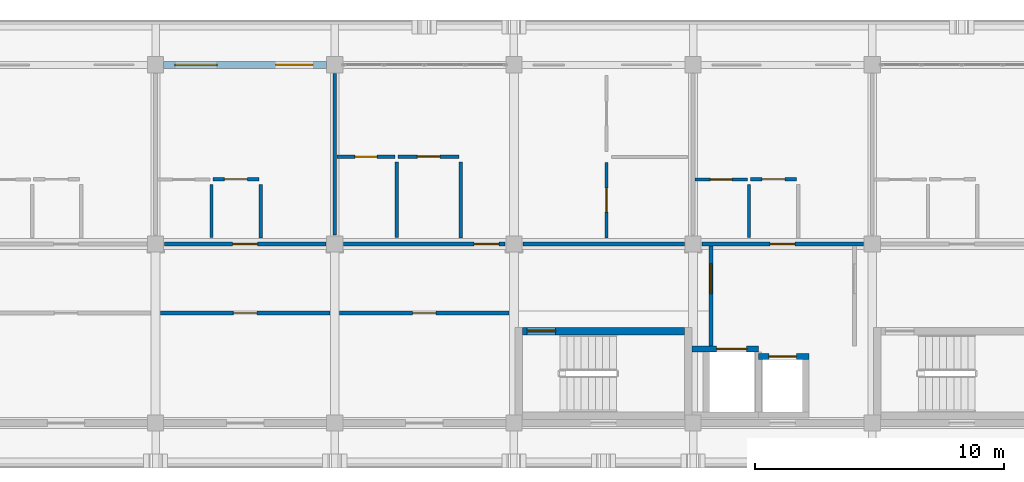
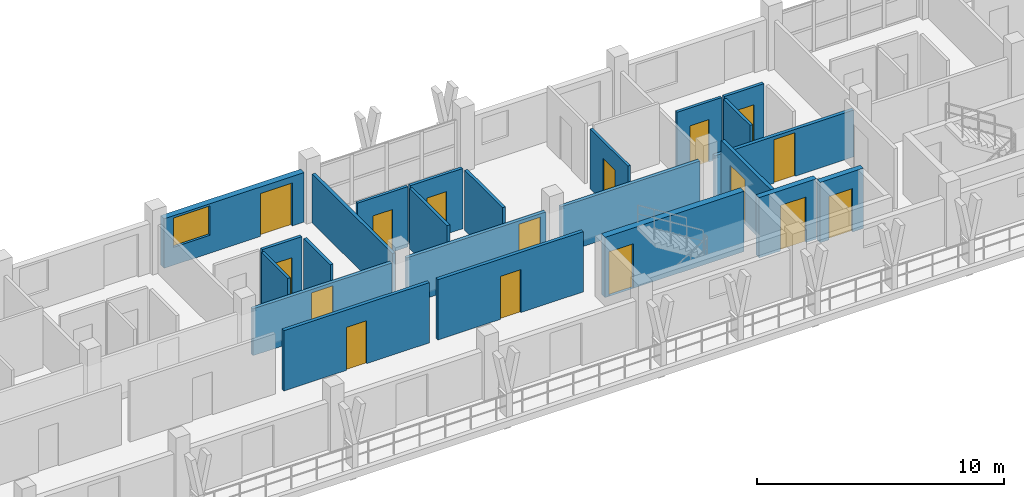
# One storey, part 46 of 76: 23 walls, 16 doors, 1 window, 17 openings.
"""IFC4 building model written with IfcOpenShell, lengths in metres."""

from ifc_helpers import new_model, si_unit, direction, frame, frame_2d, origin, place, context, subcontext, project, spatial, rectangle, extrude, material, layer, layer_set, type_object, element, fill, save


model = new_model("IFC4")

# Units and contexts
model_context = context("Model", 3, precision=1e-05, world=origin(), true_north=direction((0.0, 1.0)))
body_context = subcontext(model_context, "Body", "Model", "MODEL_VIEW")
ifc_project = project(units=[si_unit("LENGTHUNIT", "METRE"), si_unit("AREAUNIT", "SQUARE_METRE"), si_unit("VOLUMEUNIT", "CUBIC_METRE"), si_unit("PLANEANGLEUNIT", "RADIAN"), si_unit("MASSUNIT", "GRAM", prefix="KILO")], contexts=[model_context])

# Site, building, storey
site_placement = place(None, origin())
site = spatial("IfcSite", under=ifc_project, at=site_placement, CompositionType="ELEMENT")
building_placement = place(site_placement, origin())
building = spatial("IfcBuilding", under=site, at=building_placement, Name="Suanplinth Sawtooth Commons", CompositionType="ELEMENT")
storey_placement = place(building_placement, frame((0.0, 0.0, 12.199951171875)))
storey = spatial("IfcBuildingStorey", under=building, at=storey_placement, Name="L03", CompositionType="ELEMENT", Elevation=12.199951171875)

# Wall, opening, door
ifc_material_1 = material(Name="Concrete C40/50", Category="concrete")
ifc_layer_1 = layer(ifc_material_1, 0.300048828125, Name="Standard RC stair and lift core wall 300mm")
ifc_layer_set_1 = layer_set([ifc_layer_1], Name="Concrete C40/50")
wall_type_1 = type_object("IfcWallType", Name="W-CR02", PredefinedType="SHEAR", material=ifc_layer_set_1)
wall_1_placement = place(storey_placement, frame((43.550048828125, 111.699951171875, 0.0), z_axis=(0.0, 0.0, 1.0), x_axis=(1.0, 0.0, 0.0)))
wall_1 = element("IfcWall", 1, at=wall_1_placement, inside=storey, type_object=wall_type_1, Name="W-L03-C-A1-STN", PredefinedType="SHEAR", context=body_context, shape_type="SweptSolid", body=[
    extrude(rectangle(XDim=6.5, YDim=0.300048828125, at=frame_2d((3.25, 0.0))), origin(), (0.0, 0.0, 1.0), 2.97998046875),
])
opening_1_placement = place(wall_1_placement, frame((0.179931640625, 0.0, 0.0)))
opening_1 = element("IfcOpeningElement", 2, at=opening_1_placement, cuts=wall_1, Name="Opening FD0021", PredefinedType="OPENING", context=body_context, shape_type="SweptSolid", body=[
    extrude(rectangle(XDim=1.14990234375, YDim=2.199951171875, at=frame_2d((0.574951171875, 1.10009765625))), frame((0.0, 0.1650390625, 0.0), z_axis=(0.0, -1.0, 0.0), x_axis=(1.0, 0.0, 0.0)), (0.0, 0.0, 1.0), 0.329833984375),
])
ifc_material_2 = material(Name="Teak hardwood fire-rated door assembly", Category="wood")
door_type_1 = type_object("IfcDoorType", Name="FD-01", OperationType="NOTDEFINED", PredefinedType="DOOR", material=ifc_material_2)
door_1_placement = place(opening_1_placement, frame((1.14990234375, 0.0, 0.0), z_axis=(0.0, 0.0, 1.0), x_axis=(-1.0, 0.0, 0.0)))
door_1 = element("IfcDoor", 3, at=door_1_placement, inside=storey, type_object=door_type_1, Name="Exit Stair Fire Door FD0021", OperationType="SINGLE_SWING_RIGHT", OverallHeight=2.199951171875, OverallWidth=1.14990234375, PredefinedType="DOOR", context=body_context, shape_type="SweptSolid", body=[
    extrude(rectangle(XDim=1.14990234375, YDim=2.199951171875, at=frame_2d((0.574951171875, 1.10009765625))), frame((0.0, 0.02490234375, 0.0), z_axis=(0.0, -1.0, 0.0), x_axis=(1.0, 0.0, 0.0)), (0.0, 0.0, 1.0), 0.050048828125),
])
fill(opening_1, door_1)

# Wall, openings, door, window
ifc_material_3 = material(Name="Precast concrete C40/50", Category="concrete")
ifc_layer_2 = layer(ifc_material_3, 0.280029296875, Name="Insulated precast architectural facade wall 280mm")
ifc_layer_set_2 = layer_set([ifc_layer_2], Name="Precast concrete C40/50")
wall_type_2 = type_object("IfcWallType", Name="W-EX01", PredefinedType="ELEMENTEDWALL", material=ifc_layer_set_2)
wall_2_placement = place(storey_placement, frame((29.125, 122.39990234375, 0.0), z_axis=(0.0, 0.0, 1.0), x_axis=(1.0, 0.0, 0.0)))
wall_2 = element("IfcWall", 4, at=wall_2_placement, inside=storey, type_object=wall_type_2, Name="Facade Wall W-L03-A-N-4", PredefinedType="ELEMENTEDWALL", context=body_context, shape_type="SweptSolid", body=[
    extrude(rectangle(XDim=6.550048828125, YDim=0.280029296875, at=frame_2d((3.27490234375, 0.0))), origin(), (0.0, 0.0, 1.0), 2.445068359375),
])
opening_2_placement = place(wall_2_placement, frame((4.5, 0.0, 0.0)))
opening_2 = element("IfcOpeningElement", 5, at=opening_2_placement, cuts=wall_2, Name="Opening ED0226", PredefinedType="OPENING", context=body_context, shape_type="SweptSolid", body=[
    extrude(rectangle(XDim=1.5, YDim=2.1201171875, at=frame_2d((0.75, 1.06005859375))), frame((0.0, 0.15478515625, 0.0), z_axis=(0.0, -1.0, 0.0), x_axis=(1.0, 0.0, 0.0)), (0.0, 0.0, 1.0), 0.309814453125),
])
opening_3_placement = place(wall_2_placement, frame((0.449951171875, 0.0, 0.885009765625)))
opening_3 = element("IfcOpeningElement", 6, at=opening_3_placement, cuts=wall_2, Name="Opening W0335", PredefinedType="OPENING", context=body_context, shape_type="SweptSolid", body=[
    extrude(rectangle(XDim=1.699951171875, YDim=1.449951171875, at=frame_2d((0.85009765625, 0.72509765625))), frame((0.0, 0.15478515625, 0.0), z_axis=(0.0, -1.0, 0.0), x_axis=(1.0, 0.0, 0.0)), (0.0, 0.0, 1.0), 0.309814453125),
])
ifc_material_4 = material(Name="Anodized aluminium and low-E glass", Category="aluminium")
door_type_2 = type_object("IfcDoorType", Name="SD-03", OperationType="SLIDING_TO_LEFT", PredefinedType="DOOR", material=ifc_material_4)
door_2_placement = place(opening_2_placement, frame((1.5, 0.0, 0.0), z_axis=(0.0, 0.0, 1.0), x_axis=(-1.0, 0.0, 0.0)))
door_2 = element("IfcDoor", 7, at=door_2_placement, inside=storey, type_object=door_type_2, Name="Balcony Sliding Door L03-A-N-4", OperationType="SLIDING_TO_LEFT", OverallHeight=2.1201171875, OverallWidth=1.5, PredefinedType="DOOR", context=body_context, shape_type="SweptSolid", body=[
    extrude(rectangle(XDim=1.5, YDim=2.1201171875, at=frame_2d((0.75, 1.06005859375))), frame((0.0, 0.02490234375, 0.0), z_axis=(0.0, -1.0, 0.0), x_axis=(1.0, 0.0, 0.0)), (0.0, 0.0, 1.0), 0.050048828125),
])
fill(opening_2, door_2)
ifc_material_5 = material(Name="Thermally broken aluminium and low-E double glazing", Category="aluminium")
window_type = type_object("IfcWindowType", Name="WN-15", PartitioningType="DOUBLE_PANEL_VERTICAL", PredefinedType="WINDOW", material=ifc_material_5)
window_placement = place(opening_3_placement, origin())
window = element("IfcWindow", 8, at=window_placement, inside=storey, type_object=window_type, Name="Window L03-A-N-4", OverallHeight=1.449951171875, OverallWidth=1.699951171875, PartitioningType="DOUBLE_PANEL_VERTICAL", PredefinedType="WINDOW", context=body_context, shape_type="SweptSolid", body=[
    extrude(rectangle(XDim=1.699951171875, YDim=1.449951171875, at=frame_2d((0.85009765625, 0.72509765625))), frame((0.0, 0.030029296875, 0.0), z_axis=(0.0, -1.0, 0.0), x_axis=(1.0, 0.0, 0.0)), (0.0, 0.0, 1.0), 0.06005859375),
])
fill(opening_3, window)

# Wall, opening, door
ifc_layer_3 = layer(ifc_material_3, 0.159912109375, Name="Fire-rated corridor and lobby wall 160mm")
ifc_layer_set_3 = layer_set([ifc_layer_3], Name="Precast concrete C40/50")
wall_type_3 = type_object("IfcWallType", Name="W-FW01", PredefinedType="PARTITIONING", material=ifc_layer_set_3)
wall_3_placement = place(storey_placement, frame((51.1201171875, 111.10009765625, 0.0), z_axis=(0.0, 0.0, 1.0), x_axis=(0.0, 1.0, 0.0)))
wall_3 = element("IfcWall", 9, at=wall_3_placement, inside=storey, type_object=wall_type_3, Name="W-L03-C-A1-LOB-W", PredefinedType="PARTITIONING", context=body_context, shape_type="SweptSolid", body=[
    extrude(rectangle(XDim=4.02001953125, YDim=0.159912109375, at=frame_2d((2.010009765625, 0.0))), origin(), (0.0, 0.0, 1.0), 2.97998046875),
])
opening_4_placement = place(wall_3_placement, frame((2.10009765625, 0.0, 0.0)))
opening_4 = element("IfcOpeningElement", 10, at=opening_4_placement, cuts=wall_3, Name="Opening FD0022", PredefinedType="OPENING", context=body_context, shape_type="SweptSolid", body=[
    extrude(rectangle(XDim=1.199951171875, YDim=2.199951171875, at=frame_2d((0.60009765625, 1.10009765625))), frame((0.0, 0.0947265625, 0.0), z_axis=(0.0, -1.0, 0.0), x_axis=(1.0, 0.0, 0.0)), (0.0, 0.0, 1.0), 0.189697265625),
])
door_type_3 = type_object("IfcDoorType", Name="FD-02", OperationType="NOTDEFINED", PredefinedType="DOOR", material=ifc_material_2)
door_3_placement = place(opening_4_placement, origin())
door_3 = element("IfcDoor", 11, at=door_3_placement, inside=storey, type_object=door_type_3, Name="Lobby Fire Door FD0022", OperationType="SINGLE_SWING_LEFT", OverallHeight=2.199951171875, OverallWidth=1.199951171875, PredefinedType="DOOR", context=body_context, shape_type="SweptSolid", body=[
    extrude(rectangle(XDim=1.199951171875, YDim=2.199951171875, at=frame_2d((0.60009765625, 1.10009765625))), frame((0.0, 0.02490234375, 0.0), z_axis=(0.0, -1.0, 0.0), x_axis=(1.0, 0.0, 0.0)), (0.0, 0.0, 1.0), 0.050048828125),
])
fill(opening_4, door_3)

wall_4_placement = place(storey_placement, frame((29.155029296875, 115.199951171875, 0.0), z_axis=(0.0, 0.0, 1.0), x_axis=(1.0, 0.0, 0.0)))
wall_4 = element("IfcWall", 12, at=wall_4_placement, inside=storey, type_object=wall_type_3, Name="W-A-L03-U04-COR", PredefinedType="PARTITIONING", context=body_context, shape_type="SweptSolid", body=[
    extrude(rectangle(XDim=6.489990234375, YDim=0.159912109375, at=frame_2d((3.2451171875, 0.0))), origin(), (0.0, 0.0, 1.0), 2.31494140625),
])
opening_5_placement = place(wall_4_placement, frame((2.7451171875, 0.0, 0.0)))
opening_5 = element("IfcOpeningElement", 13, at=opening_5_placement, cuts=wall_4, Name="Opening FD0877", PredefinedType="OPENING", context=body_context, shape_type="SweptSolid", body=[
    extrude(rectangle(XDim=1.0, YDim=2.14990234375, at=frame_2d((0.5, 1.074951171875))), frame((0.0, 0.0947265625, 0.0), z_axis=(0.0, -1.0, 0.0), x_axis=(1.0, 0.0, 0.0)), (0.0, 0.0, 1.0), 0.189697265625),
])
door_type_4 = type_object("IfcDoorType", Name="FD-03", OperationType="NOTDEFINED", PredefinedType="DOOR", material=ifc_material_2)
door_4_placement = place(opening_5_placement, origin())
door_4 = element("IfcDoor", 14, at=door_4_placement, inside=storey, type_object=door_type_4, Name="Unit Entrance Door FD0877", OperationType="SINGLE_SWING_LEFT", OverallHeight=2.14990234375, OverallWidth=1.0, PredefinedType="DOOR", context=body_context, shape_type="SweptSolid", body=[
    extrude(rectangle(XDim=1.0, YDim=2.14990234375, at=frame_2d((0.5, 1.074951171875))), frame((0.0, 0.02490234375, 0.0), z_axis=(0.0, -1.0, 0.0), x_axis=(1.0, 0.0, 0.0)), (0.0, 0.0, 1.0), 0.050048828125),
])
fill(opening_5, door_4)

wall_5_placement = place(storey_placement, frame((36.35498046875, 115.199951171875, 0.0), z_axis=(0.0, 0.0, 1.0), x_axis=(1.0, 0.0, 0.0)))
wall_5 = element("IfcWall", 15, at=wall_5_placement, inside=storey, type_object=wall_type_3, Name="W-A-L03-U05-COR-S1", PredefinedType="PARTITIONING", context=body_context, shape_type="SweptSolid", body=[
    extrude(rectangle(XDim=6.489990234375, YDim=0.159912109375, at=frame_2d((3.2451171875, 0.0))), origin(), (0.0, 0.0, 1.0), 2.31494140625),
])
opening_6_placement = place(wall_5_placement, frame((5.2451171875, 0.0, 0.0)))
opening_6 = element("IfcOpeningElement", 16, at=opening_6_placement, cuts=wall_5, Name="Opening FD0880", PredefinedType="OPENING", context=body_context, shape_type="SweptSolid", body=[
    extrude(rectangle(XDim=1.0, YDim=2.14990234375, at=frame_2d((0.5, 1.074951171875))), frame((0.0, 0.0947265625, 0.0), z_axis=(0.0, -1.0, 0.0), x_axis=(1.0, 0.0, 0.0)), (0.0, 0.0, 1.0), 0.189697265625),
])
door_5_placement = place(opening_6_placement, origin())
door_5 = element("IfcDoor", 17, at=door_5_placement, inside=storey, type_object=door_type_4, Name="Unit Entrance Door FD0880", OperationType="SINGLE_SWING_RIGHT", OverallHeight=2.14990234375, OverallWidth=1.0, PredefinedType="DOOR", context=body_context, shape_type="SweptSolid", body=[
    extrude(rectangle(XDim=1.0, YDim=2.14990234375, at=frame_2d((0.5, 1.074951171875))), frame((0.0, 0.02490234375, 0.0), z_axis=(0.0, -1.0, 0.0), x_axis=(1.0, 0.0, 0.0)), (0.0, 0.0, 1.0), 0.050048828125),
])
fill(opening_6, door_5)

# Wall
wall_6_placement = place(storey_placement, frame((43.554931640625, 115.199951171875, 0.0), z_axis=(0.0, 0.0, 1.0), x_axis=(1.0, 0.0, 0.0)))
element("IfcWall", 18, at=wall_6_placement, inside=storey, type_object=wall_type_3, Name="W-A-L03-U05-COR-S2", PredefinedType="PARTITIONING", context=body_context, shape_type="SweptSolid", body=[
    extrude(rectangle(XDim=6.489990234375, YDim=0.159912109375, at=frame_2d((3.2451171875, 0.0))), origin(), (0.0, 0.0, 1.0), 2.31494140625),
])

# Wall, opening, door
wall_7_placement = place(storey_placement, frame((50.7548828125, 115.199951171875, 0.0), z_axis=(0.0, 0.0, 1.0), x_axis=(1.0, 0.0, 0.0)))
wall_7 = element("IfcWall", 19, at=wall_7_placement, inside=storey, type_object=wall_type_3, Name="W-A-L03-U06-COR", PredefinedType="PARTITIONING", context=body_context, shape_type="SweptSolid", body=[
    extrude(rectangle(XDim=6.490234375, YDim=0.159912109375, at=frame_2d((3.2451171875, 0.0))), origin(), (0.0, 0.0, 1.0), 2.31494140625),
])
opening_7_placement = place(wall_7_placement, frame((2.7451171875, 0.0, 0.0)))
opening_7 = element("IfcOpeningElement", 20, at=opening_7_placement, cuts=wall_7, Name="Opening FD0885", PredefinedType="OPENING", context=body_context, shape_type="SweptSolid", body=[
    extrude(rectangle(XDim=1.0, YDim=2.14990234375, at=frame_2d((0.5, 1.074951171875))), frame((0.0, 0.0947265625, 0.0), z_axis=(0.0, -1.0, 0.0), x_axis=(1.0, 0.0, 0.0)), (0.0, 0.0, 1.0), 0.189697265625),
])
door_6_placement = place(opening_7_placement, origin())
door_6 = element("IfcDoor", 21, at=door_6_placement, inside=storey, type_object=door_type_4, Name="Unit Entrance Door FD0885", OperationType="SINGLE_SWING_LEFT", OverallHeight=2.14990234375, OverallWidth=1.0, PredefinedType="DOOR", context=body_context, shape_type="SweptSolid", body=[
    extrude(rectangle(XDim=1.0, YDim=2.14990234375, at=frame_2d((0.5, 1.074951171875))), frame((0.0, 0.02490234375, 0.0), z_axis=(0.0, -1.0, 0.0), x_axis=(1.0, 0.0, 0.0)), (0.0, 0.0, 1.0), 0.050048828125),
])
fill(opening_7, door_6)

wall_8_placement = place(storey_placement, frame((29.0, 112.419921875, 0.0), z_axis=(0.0, 0.0, 1.0), x_axis=(1.0, 0.0, 0.0)))
wall_8 = element("IfcWall", 22, at=wall_8_placement, inside=storey, type_object=wall_type_3, Name="W-A-L03-COURTROOM-16-COR", PredefinedType="PARTITIONING", context=body_context, shape_type="SweptSolid", body=[
    extrude(rectangle(XDim=6.800048828125, YDim=0.159912109375, at=frame_2d((3.39990234375, 0.0))), origin(), (0.0, 0.0, 1.0), 2.97998046875),
])
opening_8_placement = place(wall_8_placement, frame((2.929931640625, 0.0, 0.0)))
opening_8 = element("IfcOpeningElement", 23, at=opening_8_placement, cuts=wall_8, Name="Opening D0914", PredefinedType="OPENING", context=body_context, shape_type="SweptSolid", body=[
    extrude(rectangle(XDim=0.93994140625, YDim=2.1201171875, at=frame_2d((0.469970703125, 1.06005859375))), frame((0.0, 0.0947265625, 0.0), z_axis=(0.0, -1.0, 0.0), x_axis=(1.0, 0.0, 0.0)), (0.0, 0.0, 1.0), 0.189697265625),
])
ifc_material_6 = material(Name="Teak hardwood", Category="wood")
door_type_5 = type_object("IfcDoorType", Name="D-15", OperationType="NOTDEFINED", PredefinedType="DOOR", material=ifc_material_6)
door_7_placement = place(opening_8_placement, frame((0.93994140625, 0.0, 0.0), z_axis=(0.0, 0.0, 1.0), x_axis=(-1.0, 0.0, 0.0)))
door_7 = element("IfcDoor", 24, at=door_7_placement, inside=storey, type_object=door_type_5, Name="Study Studio Door D0914", OperationType="SINGLE_SWING_RIGHT", OverallHeight=2.1201171875, OverallWidth=0.93994140625, PredefinedType="DOOR", context=body_context, shape_type="SweptSolid", body=[
    extrude(rectangle(XDim=0.93994140625, YDim=2.1201171875, at=frame_2d((0.469970703125, 1.06005859375))), frame((0.0, 0.02490234375, 0.0), z_axis=(0.0, -1.0, 0.0), x_axis=(1.0, 0.0, 0.0)), (0.0, 0.0, 1.0), 0.050048828125),
])
fill(opening_8, door_7)

wall_9_placement = place(storey_placement, frame((36.199951171875, 112.419921875, 0.0), z_axis=(0.0, 0.0, 1.0), x_axis=(1.0, 0.0, 0.0)))
wall_9 = element("IfcWall", 25, at=wall_9_placement, inside=storey, type_object=wall_type_3, Name="W-A-L03-COURTROOM-17-COR", PredefinedType="PARTITIONING", context=body_context, shape_type="SweptSolid", body=[
    extrude(rectangle(XDim=6.800048828125, YDim=0.159912109375, at=frame_2d((3.39990234375, 0.0))), origin(), (0.0, 0.0, 1.0), 2.97998046875),
])
opening_9_placement = place(wall_9_placement, frame((2.929931640625, 0.0, 0.0)))
opening_9 = element("IfcOpeningElement", 26, at=opening_9_placement, cuts=wall_9, Name="Opening D0915", PredefinedType="OPENING", context=body_context, shape_type="SweptSolid", body=[
    extrude(rectangle(XDim=0.93994140625, YDim=2.1201171875, at=frame_2d((0.469970703125, 1.06005859375))), frame((0.0, 0.0947265625, 0.0), z_axis=(0.0, -1.0, 0.0), x_axis=(1.0, 0.0, 0.0)), (0.0, 0.0, 1.0), 0.189697265625),
])
door_8_placement = place(opening_9_placement, frame((0.93994140625, 0.0, 0.0), z_axis=(0.0, 0.0, 1.0), x_axis=(-1.0, 0.0, 0.0)))
door_8 = element("IfcDoor", 27, at=door_8_placement, inside=storey, type_object=door_type_5, Name="Study Studio Door D0915", OperationType="SINGLE_SWING_LEFT", OverallHeight=2.1201171875, OverallWidth=0.93994140625, PredefinedType="DOOR", context=body_context, shape_type="SweptSolid", body=[
    extrude(rectangle(XDim=0.93994140625, YDim=2.1201171875, at=frame_2d((0.469970703125, 1.06005859375))), frame((0.0, 0.02490234375, 0.0), z_axis=(0.0, -1.0, 0.0), x_axis=(1.0, 0.0, 0.0)), (0.0, 0.0, 1.0), 0.050048828125),
])
fill(opening_9, door_8)

# Wall
ifc_layer_4 = layer(ifc_material_3, 0.14990234375, Name="Acoustic precast party demising wall 150mm")
ifc_layer_set_4 = layer_set([ifc_layer_4], Name="Precast concrete C40/50")
wall_type_4 = type_object("IfcWallType", Name="W-FW02", PredefinedType="PARTITIONING", material=ifc_layer_set_4)
wall_10_placement = place(storey_placement, frame((36.0, 115.554931640625, 0.0), z_axis=(0.0, 0.0, 1.0), x_axis=(0.0, 1.0, 0.0)))
element("IfcWall", 28, at=wall_10_placement, inside=storey, type_object=wall_type_4, Name="W-A-L03-U04-PTY", PredefinedType="PARTITIONING", context=body_context, shape_type="SweptSolid", body=[
    extrude(rectangle(XDim=6.489990234375, YDim=0.14990234375, at=frame_2d((3.2451171875, 0.0))), origin(), (0.0, 0.0, 1.0), 2.4150390625),
])

# Wall, opening, door
ifc_material_7 = material(Name="Gypsum plasterboard on steel stud", Category="steel")
ifc_layer_5 = layer(ifc_material_7, 0.139892578125, Name="Fire-rated kitchen partition 140mm")
ifc_layer_set_5 = layer_set([ifc_layer_5], Name="Gypsum plasterboard on steel stud")
wall_type_5 = type_object("IfcWallType", Name="W-PT01", PredefinedType="PARTITIONING", material=ifc_layer_set_5)
wall_11_placement = place(storey_placement, frame((31.10009765625, 117.800048828125, 0.0), z_axis=(0.0, 0.0, 1.0), x_axis=(1.0, 0.0, 0.0)))
wall_11 = element("IfcWall", 29, at=wall_11_placement, inside=storey, type_object=wall_type_5, Name="W-A-L03-U04-KIT1", PredefinedType="PARTITIONING", context=body_context, shape_type="SweptSolid", body=[
    extrude(rectangle(XDim=1.849853515625, YDim=0.139892578125, at=frame_2d((0.9248046875, 0.0))), origin(), (0.0, 0.0, 1.0), 2.97998046875),
])
opening_10_placement = place(wall_11_placement, frame((0.465087890625, 0.0, 0.0)))
opening_10 = element("IfcOpeningElement", 30, at=opening_10_placement, cuts=wall_11, Name="Opening D0879", PredefinedType="OPENING", context=body_context, shape_type="SweptSolid", body=[
    extrude(rectangle(XDim=0.919921875, YDim=2.10009765625, at=frame_2d((0.4599609375, 1.050048828125))), frame((0.0, 0.0849609375, 0.0), z_axis=(0.0, -1.0, 0.0), x_axis=(1.0, 0.0, 0.0)), (0.0, 0.0, 1.0), 0.169677734375),
])
door_type_6 = type_object("IfcDoorType", Name="D-02", OperationType="NOTDEFINED", PredefinedType="DOOR", material=ifc_material_6)
door_9_placement = place(opening_10_placement, frame((0.919921875, 0.0, 0.0), z_axis=(0.0, 0.0, 1.0), x_axis=(-1.0, 0.0, 0.0)))
door_9 = element("IfcDoor", 31, at=door_9_placement, inside=storey, type_object=door_type_6, Name="Kitchen Door D0879", OperationType="SINGLE_SWING_LEFT", OverallHeight=2.10009765625, OverallWidth=0.919921875, PredefinedType="DOOR", context=body_context, shape_type="SweptSolid", body=[
    extrude(rectangle(XDim=0.919921875, YDim=2.10009765625, at=frame_2d((0.4599609375, 1.050048828125))), frame((0.0, 0.02490234375, 0.0), z_axis=(0.0, -1.0, 0.0), x_axis=(1.0, 0.0, 0.0)), (0.0, 0.0, 1.0), 0.050048828125),
])
fill(opening_10, door_9)

# Wall
wall_12_placement = place(storey_placement, frame((33.02001953125, 115.429931640625, 0.0), z_axis=(0.0, 0.0, 1.0), x_axis=(0.0, 1.0, 0.0)))
element("IfcWall", 32, at=wall_12_placement, inside=storey, type_object=wall_type_5, Name="W-A-L03-U04-KIT2", PredefinedType="PARTITIONING", context=body_context, shape_type="SweptSolid", body=[
    extrude(rectangle(XDim=2.150146484375, YDim=0.139892578125, at=frame_2d((1.0751953125, 0.0))), origin(), (0.0, 0.0, 1.0), 2.97998046875),
])

# Wall, opening, door
wall_13_placement = place(storey_placement, frame((38.550048828125, 118.7099609375, 0.0), z_axis=(0.0, 0.0, 1.0), x_axis=(1.0, 0.0, 0.0)))
wall_13 = element("IfcWall", 33, at=wall_13_placement, inside=storey, type_object=wall_type_5, Name="W-A-L03-U05-KIT1", PredefinedType="PARTITIONING", context=body_context, shape_type="SweptSolid", body=[
    extrude(rectangle(XDim=2.449951171875, YDim=0.139892578125, at=frame_2d((1.22509765625, 0.0))), origin(), (0.0, 0.0, 1.0), 2.97998046875),
])
opening_11_placement = place(wall_13_placement, frame((0.764892578125, 0.0, 0.0)))
opening_11 = element("IfcOpeningElement", 34, at=opening_11_placement, cuts=wall_13, Name="Opening D0882", PredefinedType="OPENING", context=body_context, shape_type="SweptSolid", body=[
    extrude(rectangle(XDim=0.919921875, YDim=2.10009765625, at=frame_2d((0.4599609375, 1.050048828125))), frame((0.0, 0.0849609375, 0.0), z_axis=(0.0, -1.0, 0.0), x_axis=(1.0, 0.0, 0.0)), (0.0, 0.0, 1.0), 0.169677734375),
])
door_10_placement = place(opening_11_placement, frame((0.919921875, 0.0, 0.0), z_axis=(0.0, 0.0, 1.0), x_axis=(-1.0, 0.0, 0.0)))
door_10 = element("IfcDoor", 35, at=door_10_placement, inside=storey, type_object=door_type_6, Name="Kitchen Door D0882", OperationType="SINGLE_SWING_RIGHT", OverallHeight=2.10009765625, OverallWidth=0.919921875, PredefinedType="DOOR", context=body_context, shape_type="SweptSolid", body=[
    extrude(rectangle(XDim=0.919921875, YDim=2.10009765625, at=frame_2d((0.4599609375, 1.050048828125))), frame((0.0, 0.02490234375, 0.0), z_axis=(0.0, -1.0, 0.0), x_axis=(1.0, 0.0, 0.0)), (0.0, 0.0, 1.0), 0.050048828125),
])
fill(opening_11, door_10)

# Wall
wall_14_placement = place(storey_placement, frame((41.070068359375, 115.429931640625, 0.0), z_axis=(0.0, 0.0, 1.0), x_axis=(0.0, 1.0, 0.0)))
element("IfcWall", 36, at=wall_14_placement, inside=storey, type_object=wall_type_5, Name="W-A-L03-U05-KIT2", PredefinedType="PARTITIONING", context=body_context, shape_type="SweptSolid", body=[
    extrude(rectangle(XDim=3.06005859375, YDim=0.139892578125, at=frame_2d((1.530029296875, 0.0))), origin(), (0.0, 0.0, 1.0), 2.97998046875),
])

# Wall, opening, door
wall_15_placement = place(storey_placement, frame((52.699951171875, 117.800048828125, 0.0), z_axis=(0.0, 0.0, 1.0), x_axis=(1.0, 0.0, 0.0)))
wall_15 = element("IfcWall", 37, at=wall_15_placement, inside=storey, type_object=wall_type_5, Name="W-A-L03-U06-KIT1", PredefinedType="PARTITIONING", context=body_context, shape_type="SweptSolid", body=[
    extrude(rectangle(XDim=1.85009765625, YDim=0.139892578125, at=frame_2d((0.925048828125, 0.0))), origin(), (0.0, 0.0, 1.0), 2.97998046875),
])
opening_12_placement = place(wall_15_placement, frame((0.465087890625, 0.0, 0.0)))
opening_12 = element("IfcOpeningElement", 38, at=opening_12_placement, cuts=wall_15, Name="Opening D0887", PredefinedType="OPENING", context=body_context, shape_type="SweptSolid", body=[
    extrude(rectangle(XDim=0.919921875, YDim=2.10009765625, at=frame_2d((0.4599609375, 1.050048828125))), frame((0.0, 0.0849609375, 0.0), z_axis=(0.0, -1.0, 0.0), x_axis=(1.0, 0.0, 0.0)), (0.0, 0.0, 1.0), 0.169677734375),
])
door_11_placement = place(opening_12_placement, frame((0.919921875, 0.0, 0.0), z_axis=(0.0, 0.0, 1.0), x_axis=(-1.0, 0.0, 0.0)))
door_11 = element("IfcDoor", 39, at=door_11_placement, inside=storey, type_object=door_type_6, Name="Kitchen Door D0887", OperationType="SINGLE_SWING_LEFT", OverallHeight=2.10009765625, OverallWidth=0.919921875, PredefinedType="DOOR", context=body_context, shape_type="SweptSolid", body=[
    extrude(rectangle(XDim=0.919921875, YDim=2.10009765625, at=frame_2d((0.4599609375, 1.050048828125))), frame((0.0, 0.02490234375, 0.0), z_axis=(0.0, -1.0, 0.0), x_axis=(1.0, 0.0, 0.0)), (0.0, 0.0, 1.0), 0.050048828125),
])
fill(opening_12, door_11)

# Wall
ifc_layer_6 = layer(ifc_material_7, 0.1298828125, Name="Moisture-resistant bathroom partition 130mm")
ifc_layer_set_6 = layer_set([ifc_layer_6], Name="Gypsum plasterboard on steel stud")
wall_type_6 = type_object("IfcWallType", Name="W-PT02", PredefinedType="PARTITIONING", material=ifc_layer_set_6)
wall_16_placement = place(storey_placement, frame((31.044921875, 115.4599609375, 0.0), z_axis=(0.0, 0.0, 1.0), x_axis=(0.0, 1.0, 0.0)))
element("IfcWall", 40, at=wall_16_placement, inside=storey, type_object=wall_type_6, Name="W-A-L03-U04-BTH2", PredefinedType="PARTITIONING", context=body_context, shape_type="SweptSolid", body=[
    extrude(rectangle(XDim=2.130126953125, YDim=0.1298828125, at=frame_2d((1.06494140625, 0.0))), origin(), (0.0, 0.0, 1.0), 2.97998046875),
])

# Wall, opening, door
wall_17_placement = place(storey_placement, frame((36.080078125, 118.705078125, 0.0), z_axis=(0.0, 0.0, 1.0), x_axis=(1.0, 0.0, 0.0)))
wall_17 = element("IfcWall", 41, at=wall_17_placement, inside=storey, type_object=wall_type_6, Name="W-A-L03-U05-BTH1", PredefinedType="PARTITIONING", context=body_context, shape_type="SweptSolid", body=[
    extrude(rectangle(XDim=2.349853515625, YDim=0.1298828125, at=frame_2d((1.1748046875, 0.0))), origin(), (0.0, 0.0, 1.0), 2.97998046875),
])
opening_13_placement = place(wall_17_placement, frame((0.72509765625, 0.0, 0.0)))
opening_13 = element("IfcOpeningElement", 42, at=opening_13_placement, cuts=wall_17, Name="Opening D0881", PredefinedType="OPENING", context=body_context, shape_type="SweptSolid", body=[
    extrude(rectangle(XDim=0.89990234375, YDim=2.10009765625, at=frame_2d((0.449951171875, 1.050048828125))), frame((0.0, 0.079833984375, 0.0), z_axis=(0.0, -1.0, 0.0), x_axis=(1.0, 0.0, 0.0)), (0.0, 0.0, 1.0), 0.15966796875),
])
door_type_7 = type_object("IfcDoorType", Name="D-01", OperationType="NOTDEFINED", PredefinedType="DOOR", material=ifc_material_6)
door_12_placement = place(opening_13_placement, frame((0.89990234375, 0.0, 0.0), z_axis=(0.0, 0.0, 1.0), x_axis=(-1.0, 0.0, 0.0)))
door_12 = element("IfcDoor", 43, at=door_12_placement, inside=storey, type_object=door_type_7, Name="Bathroom Door D0881", OperationType="SINGLE_SWING_LEFT", OverallHeight=2.10009765625, OverallWidth=0.89990234375, PredefinedType="DOOR", context=body_context, shape_type="SweptSolid", body=[
    extrude(rectangle(XDim=0.89990234375, YDim=2.10009765625, at=frame_2d((0.449951171875, 1.050048828125))), frame((0.0, 0.02490234375, 0.0), z_axis=(0.0, -1.0, 0.0), x_axis=(1.0, 0.0, 0.0)), (0.0, 0.0, 1.0), 0.050048828125),
])
fill(opening_13, door_12)

# Wall
wall_18_placement = place(storey_placement, frame((38.4951171875, 115.4599609375, 0.0), z_axis=(0.0, 0.0, 1.0), x_axis=(0.0, 1.0, 0.0)))
element("IfcWall", 44, at=wall_18_placement, inside=storey, type_object=wall_type_6, Name="W-A-L03-U05-BTH2", PredefinedType="PARTITIONING", context=body_context, shape_type="SweptSolid", body=[
    extrude(rectangle(XDim=3.0400390625, YDim=0.1298828125, at=frame_2d((1.52001953125, 0.0))), origin(), (0.0, 0.0, 1.0), 2.97998046875),
])

# Wall, opening, door
wall_19_placement = place(storey_placement, frame((50.47998046875, 117.794921875, 0.0), z_axis=(0.0, 0.0, 1.0), x_axis=(1.0, 0.0, 0.0)))
wall_19 = element("IfcWall", 45, at=wall_19_placement, inside=storey, type_object=wall_type_6, Name="W-A-L03-U06-BTH1", PredefinedType="PARTITIONING", context=body_context, shape_type="SweptSolid", body=[
    extrude(rectangle(XDim=2.10009765625, YDim=0.1298828125, at=frame_2d((1.050048828125, 0.0))), origin(), (0.0, 0.0, 1.0), 2.97998046875),
])
opening_14_placement = place(wall_19_placement, frame((0.610107421875, 0.0, 0.0)))
opening_14 = element("IfcOpeningElement", 46, at=opening_14_placement, cuts=wall_19, Name="Opening D0886", PredefinedType="OPENING", context=body_context, shape_type="SweptSolid", body=[
    extrude(rectangle(XDim=0.8798828125, YDim=2.10009765625, at=frame_2d((0.43994140625, 1.050048828125))), frame((0.0, 0.079833984375, 0.0), z_axis=(0.0, -1.0, 0.0), x_axis=(1.0, 0.0, 0.0)), (0.0, 0.0, 1.0), 0.15966796875),
])
door_type_8 = type_object("IfcDoorType", Name="D-14", OperationType="NOTDEFINED", PredefinedType="DOOR", material=ifc_material_6)
door_13_placement = place(opening_14_placement, frame((0.8798828125, 0.0, 0.0), z_axis=(0.0, 0.0, 1.0), x_axis=(-1.0, 0.0, 0.0)))
door_13 = element("IfcDoor", 47, at=door_13_placement, inside=storey, type_object=door_type_8, Name="Bathroom Door D0886", OperationType="SINGLE_SWING_RIGHT", OverallHeight=2.10009765625, OverallWidth=0.8798828125, PredefinedType="DOOR", context=body_context, shape_type="SweptSolid", body=[
    extrude(rectangle(XDim=0.8798828125, YDim=2.10009765625, at=frame_2d((0.43994140625, 1.050048828125))), frame((0.0, 0.02490234375, 0.0), z_axis=(0.0, -1.0, 0.0), x_axis=(1.0, 0.0, 0.0)), (0.0, 0.0, 1.0), 0.050048828125),
])
fill(opening_14, door_13)

# Wall
wall_20_placement = place(storey_placement, frame((52.64501953125, 115.4599609375, 0.0), z_axis=(0.0, 0.0, 1.0), x_axis=(0.0, 1.0, 0.0)))
element("IfcWall", 48, at=wall_20_placement, inside=storey, type_object=wall_type_6, Name="W-A-L03-U06-BTH2", PredefinedType="PARTITIONING", context=body_context, shape_type="SweptSolid", body=[
    extrude(rectangle(XDim=2.130126953125, YDim=0.1298828125, at=frame_2d((1.06494140625, 0.0))), origin(), (0.0, 0.0, 1.0), 2.97998046875),
])

# Wall, opening, door
ifc_layer_7 = layer(ifc_material_7, 0.1201171875, Name="Acoustic bedroom partition 120mm")
ifc_layer_set_7 = layer_set([ifc_layer_7], Name="Gypsum plasterboard on steel stud")
wall_type_7 = type_object("IfcWallType", Name="W-PT03", PredefinedType="PARTITIONING", material=ifc_layer_set_7)
wall_21_placement = place(storey_placement, frame((46.919921875, 115.43994140625, 0.0), z_axis=(0.0, 0.0, 1.0), x_axis=(0.0, 1.0, 0.0)))
wall_21 = element("IfcWall", 49, at=wall_21_placement, inside=storey, type_object=wall_type_7, Name="W-A-L03-U05-BED2", PredefinedType="PARTITIONING", context=body_context, shape_type="SweptSolid", body=[
    extrude(rectangle(XDim=3.0400390625, YDim=0.1201171875, at=frame_2d((1.52001953125, 0.0))), origin(), (0.0, 0.0, 1.0), 2.97998046875),
])
opening_15_placement = place(wall_21_placement, frame((1.0400390625, 0.0, 0.0)))
opening_15 = element("IfcOpeningElement", 50, at=opening_15_placement, cuts=wall_21, Name="Opening D0884", PredefinedType="OPENING", context=body_context, shape_type="SweptSolid", body=[
    extrude(rectangle(XDim=0.9599609375, YDim=2.14990234375, at=frame_2d((0.47998046875, 1.074951171875))), frame((0.0, 0.074951171875, 0.0), z_axis=(0.0, -1.0, 0.0), x_axis=(1.0, 0.0, 0.0)), (0.0, 0.0, 1.0), 0.14990234375),
])
door_type_9 = type_object("IfcDoorType", Name="D-13", OperationType="NOTDEFINED", PredefinedType="DOOR", material=ifc_material_6)
door_14_placement = place(opening_15_placement, frame((0.9599609375, 0.0, 0.0), z_axis=(0.0, 0.0, 1.0), x_axis=(-1.0, 0.0, 0.0)))
door_14 = element("IfcDoor", 51, at=door_14_placement, inside=storey, type_object=door_type_9, Name="Second Bedroom Door D0884", OperationType="SINGLE_SWING_RIGHT", OverallHeight=2.14990234375, OverallWidth=0.9599609375, PredefinedType="DOOR", context=body_context, shape_type="SweptSolid", body=[
    extrude(rectangle(XDim=0.9599609375, YDim=2.14990234375, at=frame_2d((0.47998046875, 1.074951171875))), frame((0.0, 0.02490234375, 0.0), z_axis=(0.0, -1.0, 0.0), x_axis=(1.0, 0.0, 0.0)), (0.0, 0.0, 1.0), 0.050048828125),
])
fill(opening_15, door_14)

ifc_layer_8 = layer(ifc_material_3, 0.25, Name="Precast structural shear wall 250mm")
ifc_layer_set_8 = layer_set([ifc_layer_8], Name="Precast concrete C40/50")
wall_type_8 = type_object("IfcWallType", Name="W-SH01", PredefinedType="SHEAR", material=ifc_layer_set_8)
wall_22_placement = place(storey_placement, frame((50.35009765625, 110.97509765625, 0.0), z_axis=(0.0, 0.0, 1.0), x_axis=(1.0, 0.0, 0.0)))
wall_22 = element("IfcWall", 52, at=wall_22_placement, inside=storey, type_object=wall_type_8, Name="W-L03-FL1-N", PredefinedType="SHEAR", context=body_context, shape_type="SweptSolid", body=[
    extrude(rectangle(XDim=2.6748046875, YDim=0.25, at=frame_2d((1.33740234375, 0.0))), origin(), (0.0, 0.0, 1.0), 2.97998046875),
])
opening_16_placement = place(wall_22_placement, frame((1.0, 0.0, 0.0)))
opening_16 = element("IfcOpeningElement", 53, at=opening_16_placement, cuts=wall_22, Name="Opening LD0024", PredefinedType="OPENING", context=body_context, shape_type="SweptSolid", body=[
    extrude(rectangle(XDim=1.199951171875, YDim=2.25, at=frame_2d((0.60009765625, 1.125))), frame((0.0, 0.139892578125, 0.0), z_axis=(0.0, -1.0, 0.0), x_axis=(1.0, 0.0, 0.0)), (0.0, 0.0, 1.0), 0.27978515625),
])
ifc_material_8 = material(Name="Stainless steel Grade 304", Category="steel")
door_type_10 = type_object("IfcDoorType", Name="LD-02", OperationType="SLIDING_TO_LEFT", PredefinedType="DOOR", material=ifc_material_8)
door_15_placement = place(opening_16_placement, origin())
door_15 = element("IfcDoor", 54, at=door_15_placement, inside=storey, type_object=door_type_10, Name="Lift Landing Sliding Door FL1 L03", OperationType="SLIDING_TO_LEFT", OverallHeight=2.25, OverallWidth=1.199951171875, PredefinedType="DOOR", context=body_context, shape_type="SweptSolid", body=[
    extrude(rectangle(XDim=1.199951171875, YDim=2.25, at=frame_2d((0.60009765625, 1.125))), frame((0.0, 0.02490234375, 0.0), z_axis=(0.0, -1.0, 0.0), x_axis=(1.0, 0.0, 0.0)), (0.0, 0.0, 1.0), 0.050048828125),
])
fill(opening_16, door_15)

wall_23_placement = place(storey_placement, frame((53.02490234375, 110.675048828125, 0.0), z_axis=(0.0, 0.0, 1.0), x_axis=(1.0, 0.0, 0.0)))
wall_23 = element("IfcWall", 55, at=wall_23_placement, inside=storey, type_object=wall_type_8, Name="W-L03-LF1-N", PredefinedType="SHEAR", context=body_context, shape_type="SweptSolid", body=[
    extrude(rectangle(XDim=2.025146484375, YDim=0.25, at=frame_2d((1.0126953125, 0.0))), origin(), (0.0, 0.0, 1.0), 2.97998046875),
])
opening_17_placement = place(wall_23_placement, frame((0.425048828125, 0.0, 0.0)))
opening_17 = element("IfcOpeningElement", 56, at=opening_17_placement, cuts=wall_23, Name="Opening LD0025", PredefinedType="OPENING", context=body_context, shape_type="SweptSolid", body=[
    extrude(rectangle(XDim=1.10009765625, YDim=2.14990234375, at=frame_2d((0.550048828125, 1.074951171875))), frame((0.0, 0.139892578125, 0.0), z_axis=(0.0, -1.0, 0.0), x_axis=(1.0, 0.0, 0.0)), (0.0, 0.0, 1.0), 0.27978515625),
])
door_type_11 = type_object("IfcDoorType", Name="LD-01", OperationType="SLIDING_TO_LEFT", PredefinedType="DOOR", material=ifc_material_8)
door_16_placement = place(opening_17_placement, origin())
door_16 = element("IfcDoor", 57, at=door_16_placement, inside=storey, type_object=door_type_11, Name="Lift Landing Sliding Door LF1 L03", OperationType="SLIDING_TO_LEFT", OverallHeight=2.14990234375, OverallWidth=1.10009765625, PredefinedType="DOOR", context=body_context, shape_type="SweptSolid", body=[
    extrude(rectangle(XDim=1.10009765625, YDim=2.14990234375, at=frame_2d((0.550048828125, 1.074951171875))), frame((0.0, 0.02490234375, 0.0), z_axis=(0.0, -1.0, 0.0), x_axis=(1.0, 0.0, 0.0)), (0.0, 0.0, 1.0), 0.050048828125),
])
fill(opening_17, door_16)

save(model, "model.ifc")
